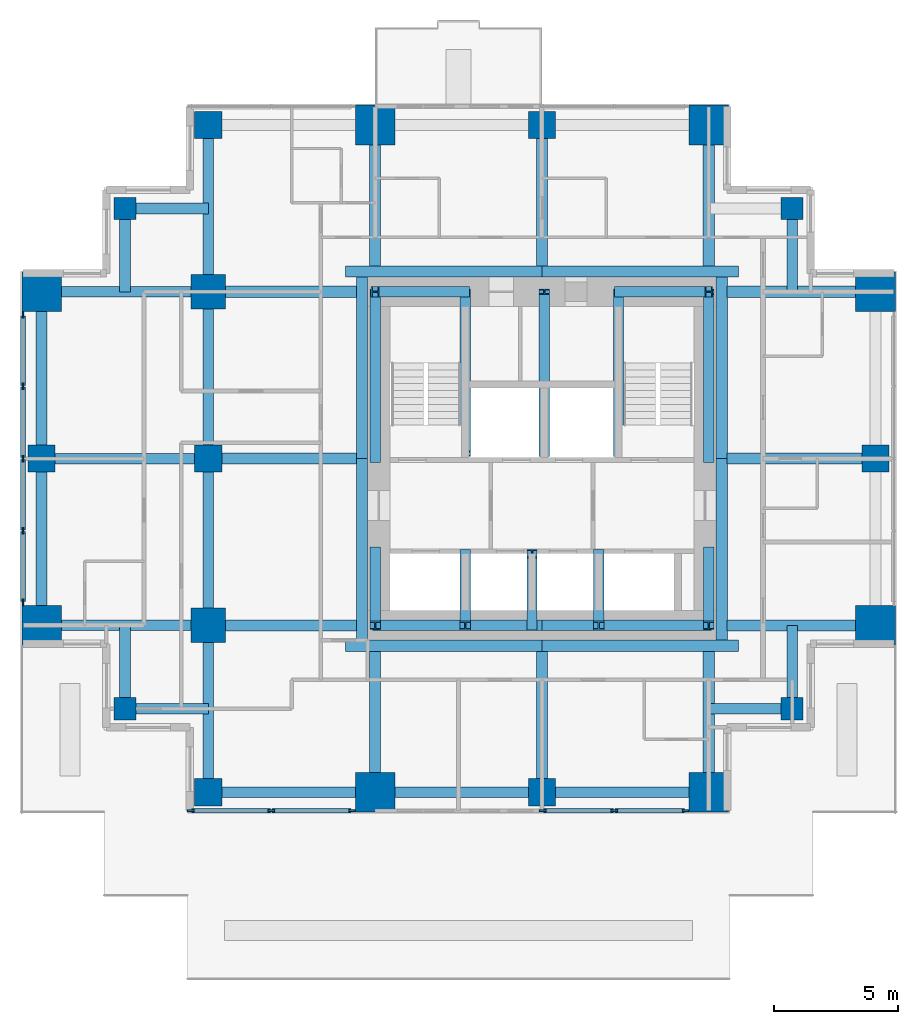
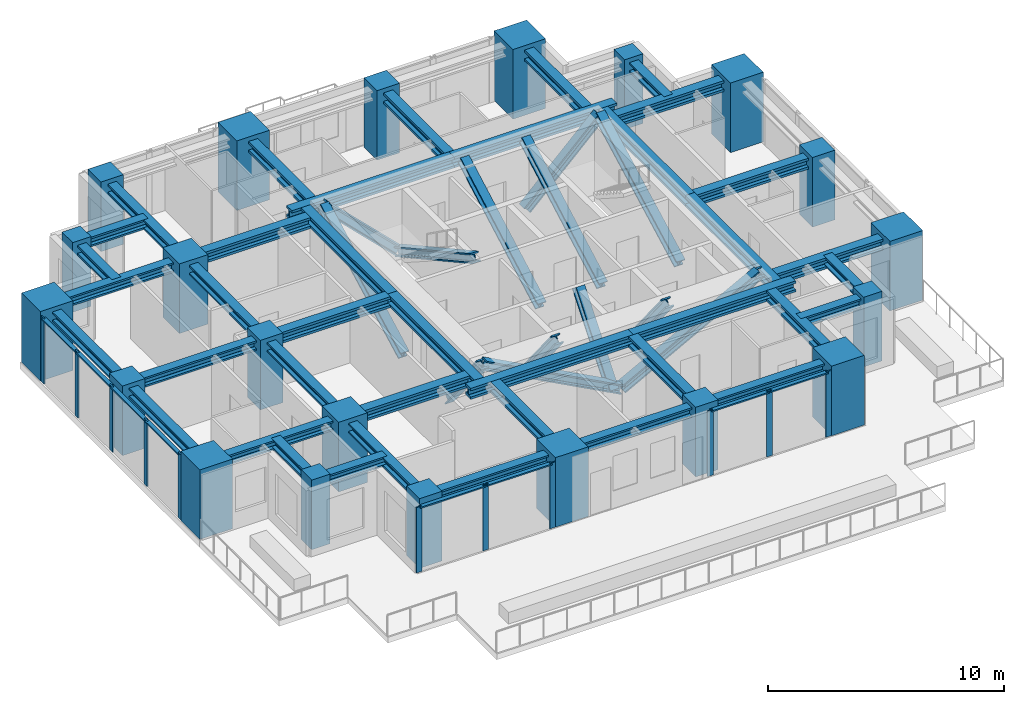
# One storey, part 1 of 7: 39 beams, 33 members, 21 columns, 3 elements without a shape of their own.
"""IFC4 building model written with IfcOpenShell, lengths in metres."""

from ifc_helpers import new_model, si_unit, direction, frame, origin, origin_2d, place, context, subcontext, project, spatial, rectangle, i_section, extrude, material, material_profile, profile_set, type_object, element, aggregate, save


model = new_model("IFC4")

# Units and contexts
model_context = context("Model", 3, precision=1e-05, world=origin(), true_north=direction((0.0, 1.0)))
body_context = subcontext(model_context, "Body", "Model", "MODEL_VIEW")
ifc_project = project(units=[si_unit("LENGTHUNIT", "METRE"), si_unit("AREAUNIT", "SQUARE_METRE"), si_unit("VOLUMEUNIT", "CUBIC_METRE"), si_unit("PLANEANGLEUNIT", "RADIAN"), si_unit("MASSUNIT", "GRAM", prefix="KILO")], contexts=[model_context])

# Site, building, storey
site_placement = place(None, origin())
site = spatial("IfcSite", under=ifc_project, at=site_placement, CompositionType="ELEMENT")
building_placement = place(site_placement, origin())
building = spatial("IfcBuilding", under=site, at=building_placement, Name="Nyansa Garden Tower", CompositionType="ELEMENT")
storey_placement = place(building_placement, frame((0.0, 0.0, 204.300048828125)))
storey = spatial("IfcBuildingStorey", under=building, at=storey_placement, Name="L55", CompositionType="ELEMENT", Elevation=204.300048828125)

# Columns
ifc_material_1 = material(Name="Concrete C70/85", Category="concrete")
ifc_material_profile_1 = material_profile(ifc_material_1, rectangle(XDim=1.10009765625, YDim=1.10009765625, at=origin_2d()), Name="RC 1100x1100")
ifc_profile_set_1 = profile_set([ifc_material_profile_1], Name="Concrete C70/85")
column_type_1 = type_object("IfcColumnType", Name="Column C110 RC 1100x1100", PredefinedType="COLUMN", material=ifc_profile_set_1)
for number, where, z_axis, x_axis, name in (
    (1, (0.0, 20.25, 0.0), (0.0, 0.0, 1.0), (1.0, 0.0, 0.0), "Column 2/G L55"),
    (2, (6.75, 6.75, 0.0), (0.0, 0.0, 1.0), (1.0, 0.0, 0.0), "Column 3/E L55"),
    (3, (6.75, 20.25, 0.0), (0.0, 0.0, 1.0), (1.0, 0.0, 0.0), "Column 3/G L55"),
    (4, (6.75, 33.75, 0.0), (0.0, 0.0, 1.0), (1.0, 0.0, 0.0), "Column 3/J L55"),
    (5, (20.25, 6.75, 0.0), (0.0, 0.0, 1.0), (1.0, 0.0, 0.0), "Column 5/E L55"),
    (6, (20.25, 33.75, 0.0), (0.0, 0.0, 1.0), (1.0, 0.0, 0.0), "Column 5/J L55"),
    (7, (33.75, 20.25, 0.0), (0.0, 0.0, 1.0), (1.0, 0.0, 0.0), "Column 7/G L55"),
):
    element("IfcColumn", number, at=place(storey_placement, frame(where, z_axis=z_axis, x_axis=x_axis)), inside=storey, type_object=column_type_1, Name=name, PredefinedType="COLUMN", context=body_context, shape_type="SweptSolid", body=[
        extrude(rectangle(XDim=1.10009765625, YDim=1.10009765625, at=origin_2d()), origin(), (0.0, 0.0, 1.0), 3.599853515625),
    ])
ifc_material_2 = material(Name="Concrete C80/95", Category="concrete")
ifc_material_profile_2 = material_profile(ifc_material_2, rectangle(XDim=1.39990234375, YDim=1.39990234375, at=origin_2d()), Name="RC 1400x1400")
ifc_profile_set_2 = profile_set([ifc_material_profile_2], Name="Concrete C80/95")
column_type_2 = type_object("IfcColumnType", Name="Column C140 RC 1400x1400", PredefinedType="COLUMN", material=ifc_profile_set_2)
for number, where, z_axis, x_axis, name in (
    (8, (6.75, 13.5, 0.0), (0.0, 0.0, 1.0), (1.0, 0.0, 0.0), "Column 3/F L55"),
    (9, (6.75, 27.0, 0.0), (0.0, 0.0, 1.0), (1.0, 0.0, 0.0), "Column 3/H L55"),
):
    element("IfcColumn", number, at=place(storey_placement, frame(where, z_axis=z_axis, x_axis=x_axis)), inside=storey, type_object=column_type_2, Name=name, PredefinedType="COLUMN", context=body_context, shape_type="SweptSolid", body=[
        extrude(rectangle(XDim=1.39990234375, YDim=1.39990234375, at=origin_2d()), origin(), (0.0, 0.0, 1.0), 3.599853515625),
    ])
ifc_material_3 = material(Name="Concrete C80/95", Category="concrete")
ifc_material_profile_3 = material_profile(ifc_material_3, rectangle(XDim=1.60009765625, YDim=1.60009765625, at=origin_2d()), Name="RC 1600x1600")
ifc_profile_set_3 = profile_set([ifc_material_profile_3], Name="Concrete C80/95")
column_type_3 = type_object("IfcColumnType", Name="Column C160 RC 1600x1600", PredefinedType="COLUMN", material=ifc_profile_set_3)
for number, where, z_axis, x_axis, name in (
    (10, (0.0, 13.5, 0.0), (0.0, 0.0, 1.0), (1.0, 0.0, 0.0), "Column 2/F L55"),
    (11, (0.0, 27.0, 0.0), (0.0, 0.0, 1.0), (1.0, 0.0, 0.0), "Column 2/H L55"),
    (12, (13.5, 6.75, 0.0), (0.0, 0.0, 1.0), (1.0, 0.0, 0.0), "Column 4/E L55"),
    (13, (13.5, 33.75, 0.0), (0.0, 0.0, 1.0), (1.0, 0.0, 0.0), "Column 4/J L55"),
    (14, (27.0, 6.75, 0.0), (0.0, 0.0, 1.0), (1.0, 0.0, 0.0), "Column 6/E L55"),
    (15, (27.0, 33.75, 0.0), (0.0, 0.0, 1.0), (1.0, 0.0, 0.0), "Column 6/J L55"),
    (16, (33.75, 13.5, 0.0), (0.0, 0.0, 1.0), (1.0, 0.0, 0.0), "Column 7/F L55"),
    (17, (33.75, 27.0, 0.0), (0.0, 0.0, 1.0), (1.0, 0.0, 0.0), "Column 7/H L55"),
):
    element("IfcColumn", number, at=place(storey_placement, frame(where, z_axis=z_axis, x_axis=x_axis)), inside=storey, type_object=column_type_3, Name=name, PredefinedType="COLUMN", context=body_context, shape_type="SweptSolid", body=[
        extrude(rectangle(XDim=1.60009765625, YDim=1.60009765625, at=origin_2d()), origin(), (0.0, 0.0, 1.0), 3.599853515625),
    ])
ifc_material_4 = material(Name="Concrete C70/85", Category="concrete")
ifc_material_profile_4 = material_profile(ifc_material_4, rectangle(XDim=0.89990234375, YDim=0.89990234375, at=origin_2d()), Name="RC 900x900")
ifc_profile_set_4 = profile_set([ifc_material_profile_4], Name="Concrete C70/85")
column_type_4 = type_object("IfcColumnType", Name="Column C90 RC 900x900", PredefinedType="COLUMN", material=ifc_profile_set_4)
for number, where, z_axis, x_axis, name in (
    (18, (3.375, 10.125, 0.0), (0.0, 0.0, 1.0), (1.0, 0.0, 0.0), "Column x3.375/y10.125 L55"),
    (19, (3.375, 30.375, 0.0), (0.0, 0.0, 1.0), (1.0, 0.0, 0.0), "Column x3.375/y30.375 L55"),
    (20, (30.375, 10.125, 0.0), (0.0, 0.0, 1.0), (1.0, 0.0, 0.0), "Column x30.375/y10.125 L55"),
    (21, (30.375, 30.375, 0.0), (0.0, 0.0, 1.0), (1.0, 0.0, 0.0), "Column x30.375/y30.375 L55"),
):
    element("IfcColumn", number, at=place(storey_placement, frame(where, z_axis=z_axis, x_axis=x_axis)), inside=storey, type_object=column_type_4, Name=name, PredefinedType="COLUMN", context=body_context, shape_type="SweptSolid", body=[
        extrude(rectangle(XDim=0.89990234375, YDim=0.89990234375, at=origin_2d()), origin(), (0.0, 0.0, 1.0), 3.599853515625),
    ])

# Curtain wall, members
ifc_material_5 = material(Name="Black anodised aluminium, dark tinted double glazing", Category="aluminium")
curtain_wall_type = type_object("IfcCurtainWallType", Name="Inner skin curtain wall ISW-D", PredefinedType="USERDEFINED", material=ifc_material_5)
curtain_wall_1_placement = place(storey_placement, origin())
curtain_wall_1 = element("IfcCurtainWall", 22, at=curtain_wall_1_placement, inside=storey, type_object=curtain_wall_type, Name="Inner skin curtain wall L55 W", ObjectType="UNITISED CURTAIN WALL", PredefinedType="USERDEFINED")
ifc_material_6 = material(Name="Black anodised aluminium", Category="aluminium")
ifc_material_profile_5 = material_profile(ifc_material_6, rectangle(XDim=0.070068359375, YDim=0.27490234375, at=origin_2d()), Name="Mullion 275x70")
ifc_profile_set_5 = profile_set([ifc_material_profile_5], Name="Black anodised aluminium")
member_type_1 = type_object("IfcMemberType", Name="Mullion ISW-D 275x70", PredefinedType="MULLION", material=ifc_profile_set_5)
member_1_placement = place(storey_placement, frame((-0.75, 26.0625, 0.0), z_axis=(0.0, 0.0, 1.0), x_axis=(1.0, 0.0, 0.0)))
member_1 = element("IfcMember", 23, at=member_1_placement, type_object=member_type_1, Name="ISW-D mullion 1", PredefinedType="MULLION", context=body_context, shape_type="SweptSolid", body=[
    extrude(rectangle(XDim=0.070068359375, YDim=0.27490234375, at=origin_2d()), origin(), (0.0, 0.0, 1.0), 3.375),
])
member_2_placement = place(storey_placement, frame((-0.75, 23.173828125, 0.0), z_axis=(0.0, 0.0, 1.0), x_axis=(1.0, 0.0, 0.0)))
member_2 = element("IfcMember", 24, at=member_2_placement, type_object=member_type_1, Name="ISW-D mullion 2", PredefinedType="MULLION", context=body_context, shape_type="SweptSolid", body=[
    extrude(rectangle(XDim=0.070068359375, YDim=0.27490234375, at=origin_2d()), origin(), (0.0, 0.0, 1.0), 3.375),
])
member_3_placement = place(storey_placement, frame((-0.75, 20.25, 0.0), z_axis=(0.0, 0.0, 1.0), x_axis=(1.0, 0.0, 0.0)))
member_3 = element("IfcMember", 25, at=member_3_placement, type_object=member_type_1, Name="ISW-D mullion 3", PredefinedType="MULLION", context=body_context, shape_type="SweptSolid", body=[
    extrude(rectangle(XDim=0.070068359375, YDim=0.27490234375, at=origin_2d()), origin(), (0.0, 0.0, 1.0), 3.375),
])
member_4_placement = place(storey_placement, frame((-0.75, 17.326171875, 0.0), z_axis=(0.0, 0.0, 1.0), x_axis=(1.0, 0.0, 0.0)))
member_4 = element("IfcMember", 26, at=member_4_placement, type_object=member_type_1, Name="ISW-D mullion 4", PredefinedType="MULLION", context=body_context, shape_type="SweptSolid", body=[
    extrude(rectangle(XDim=0.070068359375, YDim=0.27490234375, at=origin_2d()), origin(), (0.0, 0.0, 1.0), 3.375),
])
member_5_placement = place(storey_placement, frame((-0.75, 14.4375, 0.0), z_axis=(0.0, 0.0, 1.0), x_axis=(1.0, 0.0, 0.0)))
member_5 = element("IfcMember", 27, at=member_5_placement, type_object=member_type_1, Name="ISW-D mullion 5", PredefinedType="MULLION", context=body_context, shape_type="SweptSolid", body=[
    extrude(rectangle(XDim=0.070068359375, YDim=0.27490234375, at=origin_2d()), origin(), (0.0, 0.0, 1.0), 3.375),
])

curtain_wall_2_placement = place(storey_placement, origin())
curtain_wall_2 = element("IfcCurtainWall", 28, at=curtain_wall_2_placement, inside=storey, type_object=curtain_wall_type, Name="Inner skin curtain wall L55 S", ObjectType="UNITISED CURTAIN WALL", PredefinedType="USERDEFINED")
member_6_placement = place(storey_placement, frame((6.034912109375, 6.0, 0.0), z_axis=(0.0, 0.0, 1.0), x_axis=(0.0, 1.0, 0.0)))
member_6 = element("IfcMember", 29, at=member_6_placement, type_object=member_type_1, Name="ISW-D mullion 1", PredefinedType="MULLION", context=body_context, shape_type="SweptSolid", body=[
    extrude(rectangle(XDim=0.070068359375, YDim=0.27490234375, at=origin_2d()), origin(), (0.0, 0.0, 1.0), 3.375),
])
member_7_placement = place(storey_placement, frame((9.298828125, 6.0, 0.0), z_axis=(0.0, 0.0, 1.0), x_axis=(0.0, 1.0, 0.0)))
member_7 = element("IfcMember", 30, at=member_7_placement, type_object=member_type_1, Name="ISW-D mullion 2", PredefinedType="MULLION", context=body_context, shape_type="SweptSolid", body=[
    extrude(rectangle(XDim=0.070068359375, YDim=0.27490234375, at=origin_2d()), origin(), (0.0, 0.0, 1.0), 3.375),
])
member_8_placement = place(storey_placement, frame((12.5625, 6.0, 0.0), z_axis=(0.0, 0.0, 1.0), x_axis=(0.0, 1.0, 0.0)))
member_8 = element("IfcMember", 31, at=member_8_placement, type_object=member_type_1, Name="ISW-D mullion 3", PredefinedType="MULLION", context=body_context, shape_type="SweptSolid", body=[
    extrude(rectangle(XDim=0.070068359375, YDim=0.27490234375, at=origin_2d()), origin(), (0.0, 0.0, 1.0), 3.375),
])

curtain_wall_3_placement = place(storey_placement, origin())
curtain_wall_3 = element("IfcCurtainWall", 32, at=curtain_wall_3_placement, inside=storey, type_object=curtain_wall_type, Name="Inner skin curtain wall L55 S", ObjectType="UNITISED CURTAIN WALL", PredefinedType="USERDEFINED")
member_9_placement = place(storey_placement, frame((20.284912109375, 6.0, 0.0), z_axis=(0.0, 0.0, 1.0), x_axis=(0.0, 1.0, 0.0)))
member_9 = element("IfcMember", 33, at=member_9_placement, type_object=member_type_1, Name="ISW-D mullion 1", PredefinedType="MULLION", context=body_context, shape_type="SweptSolid", body=[
    extrude(rectangle(XDim=0.070068359375, YDim=0.27490234375, at=origin_2d()), origin(), (0.0, 0.0, 1.0), 3.375),
])
member_10_placement = place(storey_placement, frame((23.173828125, 6.0, 0.0), z_axis=(0.0, 0.0, 1.0), x_axis=(0.0, 1.0, 0.0)))
member_10 = element("IfcMember", 34, at=member_10_placement, type_object=member_type_1, Name="ISW-D mullion 2", PredefinedType="MULLION", context=body_context, shape_type="SweptSolid", body=[
    extrude(rectangle(XDim=0.070068359375, YDim=0.27490234375, at=origin_2d()), origin(), (0.0, 0.0, 1.0), 3.375),
])
member_11_placement = place(storey_placement, frame((26.0625, 6.0, 0.0), z_axis=(0.0, 0.0, 1.0), x_axis=(0.0, 1.0, 0.0)))
member_11 = element("IfcMember", 35, at=member_11_placement, type_object=member_type_1, Name="ISW-D mullion 3", PredefinedType="MULLION", context=body_context, shape_type="SweptSolid", body=[
    extrude(rectangle(XDim=0.070068359375, YDim=0.27490234375, at=origin_2d()), origin(), (0.0, 0.0, 1.0), 3.375),
])

# Members
ifc_material_7 = material(Name="Steel S355", Category="steel")
ifc_material_profile_6 = material_profile(ifc_material_7, i_section(OverallWidth=0.41796875, OverallDepth=0.455078125, WebThickness=0.0419921875, FlangeThickness=0.067626953125, FilletRadius=0.014892578125, at=origin_2d()), Name="HD 400x463")
ifc_profile_set_6 = profile_set([ifc_material_profile_6], Name="Steel S355")
member_type_2 = type_object("IfcMemberType", Name="Perimeter brace heavy HD 400x463", PredefinedType="BRACE", material=ifc_profile_set_6)
for number, where, z_axis, x_axis, name in (
    (36, (20.25, 13.5, 0.0), (-0.882360891967, 0.0, 0.470573327259), (0.0, -1.0, 0.0), "Core brace CS1 L55"),
    (37, (20.25, 13.5, 0.0), (0.882360891967, 0.0, 0.470573327259), (0.0, 1.0, 0.0), "Core brace CS2 L55"),
):
    element("IfcMember", number, at=place(storey_placement, frame(where, z_axis=z_axis, x_axis=x_axis)), inside=storey, type_object=member_type_2, Name=name, PredefinedType="BRACE", context=body_context, shape_type="SweptSolid", body=[
        extrude(i_section(OverallWidth=0.41796875, OverallDepth=0.455078125, WebThickness=0.0419921875, FlangeThickness=0.067626953125, FilletRadius=0.014892578125, at=origin_2d()), origin(), (0.0, 0.0, 1.0), 7.64990234375),
    ])
for number, where, z_axis, x_axis, name in (
    (38, (17.14990234375, 27.0, 0.0), (-0.711971340796, 0.0, 0.702208523079), (0.0, -1.0, 0.0), "Core brace CN3 L55"),
    (39, (23.35009765625, 27.0, 0.0), (0.711971340796, 0.0, 0.702208523079), (0.0, 1.0, 0.0), "Core brace CN4 L55"),
):
    element("IfcMember", number, at=place(storey_placement, frame(where, z_axis=z_axis, x_axis=x_axis)), inside=storey, type_object=member_type_2, Name=name, PredefinedType="BRACE", context=body_context, shape_type="SweptSolid", body=[
        extrude(i_section(OverallWidth=0.41796875, OverallDepth=0.455078125, WebThickness=0.0419921875, FlangeThickness=0.067626953125, FilletRadius=0.014892578125, at=origin_2d()), origin(), (0.0, 0.0, 1.0), 5.12646484375),
    ])
member_12_placement = place(storey_placement, frame((13.5, 16.5, 0.0), z_axis=(0.0, -0.640199773186, 0.768208468069), x_axis=(1.0, 0.0, 0.0)))
element("IfcMember", 40, at=member_12_placement, inside=storey, type_object=member_type_2, Name="Core brace CW5 L55", PredefinedType="BRACE", context=body_context, shape_type="SweptSolid", body=[
    extrude(i_section(OverallWidth=0.41796875, OverallDepth=0.455078125, WebThickness=0.0419921875, FlangeThickness=0.067626953125, FilletRadius=0.014892578125, at=origin_2d()), origin(), (0.0, 0.0, 1.0), 4.68603515625),
])
member_13_placement = place(storey_placement, frame((13.5, 20.199951171875, 0.0), z_axis=(0.0, 0.883797178129, 0.467870225524), x_axis=(-1.0, 0.0, 0.0)))
element("IfcMember", 41, at=member_13_placement, inside=storey, type_object=member_type_2, Name="Core brace CW6 L55", PredefinedType="BRACE", context=body_context, shape_type="SweptSolid", body=[
    extrude(i_section(OverallWidth=0.41796875, OverallDepth=0.455078125, WebThickness=0.0419921875, FlangeThickness=0.067626953125, FilletRadius=0.014892578125, at=origin_2d()), origin(), (0.0, 0.0, 1.0), 7.694091796875),
])
member_14_placement = place(storey_placement, frame((27.0, 16.5, 0.0), z_axis=(0.0, -0.640199773186, 0.768208468069), x_axis=(1.0, 0.0, 0.0)))
element("IfcMember", 42, at=member_14_placement, inside=storey, type_object=member_type_2, Name="Core brace CE7 L55", PredefinedType="BRACE", context=body_context, shape_type="SweptSolid", body=[
    extrude(i_section(OverallWidth=0.41796875, OverallDepth=0.455078125, WebThickness=0.0419921875, FlangeThickness=0.067626953125, FilletRadius=0.014892578125, at=origin_2d()), origin(), (0.0, 0.0, 1.0), 4.68603515625),
])
member_15_placement = place(storey_placement, frame((27.0, 20.199951171875, 0.0), z_axis=(0.0, 0.883797178129, 0.467870225524), x_axis=(-1.0, 0.0, 0.0)))
element("IfcMember", 43, at=member_15_placement, inside=storey, type_object=member_type_2, Name="Core brace CE8 L55", PredefinedType="BRACE", context=body_context, shape_type="SweptSolid", body=[
    extrude(i_section(OverallWidth=0.41796875, OverallDepth=0.455078125, WebThickness=0.0419921875, FlangeThickness=0.067626953125, FilletRadius=0.014892578125, at=origin_2d()), origin(), (0.0, 0.0, 1.0), 7.694091796875),
])
for number, where, z_axis, x_axis, name in (
    (44, (17.14990234375, 27.0, 0.0), (0.0, -0.876366901673, 0.481644115143), (1.0, 0.0, 0.0), "Core brace CWS9 L55"),
    (45, (23.35009765625, 20.449951171875, 0.0), (0.0, 0.876366901673, 0.481644115143), (-1.0, 0.0, 0.0), "Core brace CES10 L55"),
):
    element("IfcMember", number, at=place(storey_placement, frame(where, z_axis=z_axis, x_axis=x_axis)), inside=storey, type_object=member_type_2, Name=name, PredefinedType="BRACE", context=body_context, shape_type="SweptSolid", body=[
        extrude(i_section(OverallWidth=0.41796875, OverallDepth=0.455078125, WebThickness=0.0419921875, FlangeThickness=0.067626953125, FilletRadius=0.014892578125, at=origin_2d()), origin(), (0.0, 0.0, 1.0), 7.47412109375),
    ])
for number, where, z_axis, x_axis, name in (
    (46, (17.14990234375, 16.39990234375, 0.0), (0.0, -0.627332207022, 0.778751758928), (1.0, 0.0, 0.0), "Core brace CSW11 L55"),
    (47, (19.85009765625, 13.5, 0.0), (0.0, 0.627332207022, 0.778751758928), (-1.0, 0.0, 0.0), "Core brace CSW12 L55"),
    (48, (22.550048828125, 16.39990234375, 0.0), (0.0, -0.627332207022, 0.778751758928), (1.0, 0.0, 0.0), "Core brace CSW13 L55"),
):
    element("IfcMember", number, at=place(storey_placement, frame(where, z_axis=z_axis, x_axis=x_axis)), inside=storey, type_object=member_type_2, Name=name, PredefinedType="BRACE", context=body_context, shape_type="SweptSolid", body=[
        extrude(i_section(OverallWidth=0.41796875, OverallDepth=0.455078125, WebThickness=0.0419921875, FlangeThickness=0.067626953125, FilletRadius=0.014892578125, at=origin_2d()), origin(), (0.0, 0.0, 1.0), 4.62255859375),
    ])
member_16_placement = place(storey_placement, frame((20.35009765625, 20.449951171875, 0.0), z_axis=(0.0, 0.876366901673, 0.481644115143), x_axis=(-1.0, 0.0, 0.0)))
element("IfcMember", 49, at=member_16_placement, inside=storey, type_object=member_type_2, Name="Core brace CNW14 L55", PredefinedType="BRACE", context=body_context, shape_type="SweptSolid", body=[
    extrude(i_section(OverallWidth=0.41796875, OverallDepth=0.455078125, WebThickness=0.0419921875, FlangeThickness=0.067626953125, FilletRadius=0.014892578125, at=origin_2d()), origin(), (0.0, 0.0, 1.0), 7.47412109375),
])

# Beams
ifc_material_8 = material(Name="Steel S355", Category="steel")
ifc_material_profile_7 = material_profile(ifc_material_8, i_section(OverallWidth=0.431884765625, OverallDepth=0.498046875, WebThickness=0.0556640625, FlangeThickness=0.0888671875, FilletRadius=0.014892578125, at=origin_2d()), Name="HD 400x744")
ifc_profile_set_7 = profile_set([ifc_material_profile_7], Name="Steel S355")
beam_type_1 = type_object("IfcBeamType", Name="Steel beam SBD2-744 HD 400x744", PredefinedType="BEAM", material=ifc_profile_set_7)
for number, where, z_axis, x_axis, name in (
    (50, (0.0, 13.5, 3.1259765625), (1.0, 0.0, 0.0), (0.0, 1.0, 0.0), "Steel beam 2/F-3/F L56"),
    (51, (0.0, 20.25, 3.1259765625), (1.0, 0.0, 0.0), (0.0, 1.0, 0.0), "Steel beam 2/G-3/G L56"),
    (52, (0.0, 27.0, 3.1259765625), (1.0, 0.0, 0.0), (0.0, 1.0, 0.0), "Steel beam 2/H-3/H L56"),
    (53, (6.75, 6.75, 3.1259765625), (0.0, 1.0, 0.0), (-1.0, 0.0, 0.0), "Steel beam 3/E-3/F L56"),
    (54, (6.75, 13.5, 3.1259765625), (0.0, 1.0, 0.0), (-1.0, 0.0, 0.0), "Steel beam 3/F-3/G L56"),
    (55, (6.75, 20.25, 3.1259765625), (0.0, 1.0, 0.0), (-1.0, 0.0, 0.0), "Steel beam 3/G-3/H L56"),
    (56, (6.75, 27.0, 3.1259765625), (0.0, 1.0, 0.0), (-1.0, 0.0, 0.0), "Steel beam 3/H-3/J L56"),
):
    element("IfcBeam", number, at=place(storey_placement, frame(where, z_axis=z_axis, x_axis=x_axis)), inside=storey, type_object=beam_type_1, Name=name, PredefinedType="BEAM", context=body_context, shape_type="SweptSolid", body=[
        extrude(i_section(OverallWidth=0.431884765625, OverallDepth=0.498046875, WebThickness=0.0556640625, FlangeThickness=0.0888671875, FilletRadius=0.014892578125, at=origin_2d()), origin(), (0.0, 0.0, 1.0), 6.75),
    ])
ifc_material_9 = material(Name="Steel S355", Category="steel")
ifc_material_profile_8 = material_profile(ifc_material_9, i_section(OverallWidth=0.4541015625, OverallDepth=0.569091796875, WebThickness=0.077880859375, FlangeThickness=0.125, FilletRadius=0.014892578125, at=origin_2d()), Name="HD 400x1086")
ifc_profile_set_8 = profile_set([ifc_material_profile_8], Name="Steel S355")
beam_type_2 = type_object("IfcBeamType", Name="Steel beam SCL-1086 HD 400x1086", PredefinedType="BEAM", material=ifc_profile_set_8)
for number, where, z_axis, x_axis, name in (
    (57, (6.75, 13.5, 3.09033203125), (1.0, 0.0, 0.0), (0.0, 1.0, 0.0), "Steel beam 3/F-12.750/F L56"),
    (58, (6.75, 20.25, 3.09033203125), (1.0, 0.0, 0.0), (0.0, 1.0, 0.0), "Steel beam 3/G-12.750/G L56"),
    (59, (6.75, 27.0, 3.09033203125), (1.0, 0.0, 0.0), (0.0, 1.0, 0.0), "Steel beam 3/H-12.750/H L56"),
):
    element("IfcBeam", number, at=place(storey_placement, frame(where, z_axis=z_axis, x_axis=x_axis)), inside=storey, type_object=beam_type_2, Name=name, PredefinedType="BEAM", context=body_context, shape_type="SweptSolid", body=[
        extrude(i_section(OverallWidth=0.4541015625, OverallDepth=0.569091796875, WebThickness=0.077880859375, FlangeThickness=0.125, FilletRadius=0.014892578125, at=origin_2d()), origin(), (0.0, 0.0, 1.0), 6.0),
    ])
for number, where, z_axis, x_axis, name in (
    (60, (13.5, 6.75, 3.09033203125), (0.0, 1.0, 0.0), (-1.0, 0.0, 0.0), "Steel beam 4/E-4/12.450 L56"),
    (61, (13.5, 28.050048828125, 3.09033203125), (0.0, 1.0, 0.0), (-1.0, 0.0, 0.0), "Steel beam 4/28.050-4/J L56"),
    (62, (20.25, 6.75, 3.09033203125), (0.0, 1.0, 0.0), (-1.0, 0.0, 0.0), "Steel beam 5/E-5/12.450 L56"),
    (63, (20.25, 28.050048828125, 3.09033203125), (0.0, 1.0, 0.0), (-1.0, 0.0, 0.0), "Steel beam 5/28.050-5/J L56"),
    (64, (27.0, 6.75, 3.09033203125), (0.0, 1.0, 0.0), (-1.0, 0.0, 0.0), "Steel beam 6/E-6/12.450 L56"),
):
    element("IfcBeam", number, at=place(storey_placement, frame(where, z_axis=z_axis, x_axis=x_axis)), inside=storey, type_object=beam_type_2, Name=name, PredefinedType="BEAM", context=body_context, shape_type="SweptSolid", body=[
        extrude(i_section(OverallWidth=0.4541015625, OverallDepth=0.569091796875, WebThickness=0.077880859375, FlangeThickness=0.125, FilletRadius=0.014892578125, at=origin_2d()), origin(), (0.0, 0.0, 1.0), 5.699951171875),
    ])
for number, where, z_axis, x_axis, name in (
    (65, (27.75, 13.5, 3.09033203125), (1.0, 0.0, 0.0), (0.0, 1.0, 0.0), "Steel beam 27.750/F-7/F L56"),
    (66, (27.75, 20.25, 3.09033203125), (1.0, 0.0, 0.0), (0.0, 1.0, 0.0), "Steel beam 27.750/G-7/G L56"),
):
    element("IfcBeam", number, at=place(storey_placement, frame(where, z_axis=z_axis, x_axis=x_axis)), inside=storey, type_object=beam_type_2, Name=name, PredefinedType="BEAM", context=body_context, shape_type="SweptSolid", body=[
        extrude(i_section(OverallWidth=0.4541015625, OverallDepth=0.569091796875, WebThickness=0.077880859375, FlangeThickness=0.125, FilletRadius=0.014892578125, at=origin_2d()), origin(), (0.0, 0.0, 1.0), 6.0),
    ])
beam_1_placement = place(storey_placement, frame((27.0, 28.050048828125, 3.09033203125), z_axis=(0.0, 1.0, 0.0), x_axis=(-1.0, 0.0, 0.0)))
element("IfcBeam", 67, at=beam_1_placement, inside=storey, type_object=beam_type_2, Name="Steel beam 6/28.050-6/J L56", PredefinedType="BEAM", context=body_context, shape_type="SweptSolid", body=[
    extrude(i_section(OverallWidth=0.4541015625, OverallDepth=0.569091796875, WebThickness=0.077880859375, FlangeThickness=0.125, FilletRadius=0.014892578125, at=origin_2d()), origin(), (0.0, 0.0, 1.0), 5.699951171875),
])
beam_2_placement = place(storey_placement, frame((27.75, 27.0, 3.09033203125), z_axis=(1.0, 0.0, 0.0), x_axis=(0.0, 1.0, 0.0)))
element("IfcBeam", 68, at=beam_2_placement, inside=storey, type_object=beam_type_2, Name="Steel beam 27.750/H-7/H L56", PredefinedType="BEAM", context=body_context, shape_type="SweptSolid", body=[
    extrude(i_section(OverallWidth=0.4541015625, OverallDepth=0.569091796875, WebThickness=0.077880859375, FlangeThickness=0.125, FilletRadius=0.014892578125, at=origin_2d()), origin(), (0.0, 0.0, 1.0), 6.0),
])
for number, where, z_axis, x_axis, name in (
    (69, (12.300048828125, 12.673095703125, 3.09033203125), (1.0, 0.0, 0.0), (0.0, 1.0, 0.0), "Steel core ledger beam S.1 L56"),
    (70, (20.25, 12.673095703125, 3.09033203125), (1.0, 0.0, 0.0), (0.0, 1.0, 0.0), "Steel core ledger beam S.2 L56"),
):
    element("IfcBeam", number, at=place(storey_placement, frame(where, z_axis=z_axis, x_axis=x_axis)), inside=storey, type_object=beam_type_2, Name=name, PredefinedType="BEAM", context=body_context, shape_type="SweptSolid", body=[
        extrude(i_section(OverallWidth=0.4541015625, OverallDepth=0.569091796875, WebThickness=0.077880859375, FlangeThickness=0.125, FilletRadius=0.014892578125, at=origin_2d()), origin(), (0.0, 0.0, 1.0), 7.949951171875),
    ])
for number, where, z_axis, x_axis, name in (
    (71, (27.527099609375, 12.89990234375, 3.09033203125), (0.0, 1.0, 0.0), (-1.0, 0.0, 0.0), "Steel core ledger beam E.1 L56"),
    (72, (27.527099609375, 20.25, 3.09033203125), (0.0, 1.0, 0.0), (-1.0, 0.0, 0.0), "Steel core ledger beam E.2 L56"),
):
    element("IfcBeam", number, at=place(storey_placement, frame(where, z_axis=z_axis, x_axis=x_axis)), inside=storey, type_object=beam_type_2, Name=name, PredefinedType="BEAM", context=body_context, shape_type="SweptSolid", body=[
        extrude(i_section(OverallWidth=0.4541015625, OverallDepth=0.569091796875, WebThickness=0.077880859375, FlangeThickness=0.125, FilletRadius=0.014892578125, at=origin_2d()), origin(), (0.0, 0.0, 1.0), 7.35009765625),
    ])
for number, where, z_axis, x_axis, name in (
    (73, (28.199951171875, 27.826904296875, 3.09033203125), (-1.0, 0.0, 0.0), (0.0, -1.0, 0.0), "Steel core ledger beam N.1 L56"),
    (74, (20.25, 27.826904296875, 3.09033203125), (-1.0, 0.0, 0.0), (0.0, -1.0, 0.0), "Steel core ledger beam N.2 L56"),
):
    element("IfcBeam", number, at=place(storey_placement, frame(where, z_axis=z_axis, x_axis=x_axis)), inside=storey, type_object=beam_type_2, Name=name, PredefinedType="BEAM", context=body_context, shape_type="SweptSolid", body=[
        extrude(i_section(OverallWidth=0.4541015625, OverallDepth=0.569091796875, WebThickness=0.077880859375, FlangeThickness=0.125, FilletRadius=0.014892578125, at=origin_2d()), origin(), (0.0, 0.0, 1.0), 7.949951171875),
    ])
for number, where, z_axis, x_axis, name in (
    (75, (12.972900390625, 27.60009765625, 3.09033203125), (0.0, -1.0, 0.0), (1.0, 0.0, 0.0), "Steel core ledger beam W.1 L56"),
    (76, (12.972900390625, 20.25, 3.09033203125), (0.0, -1.0, 0.0), (1.0, 0.0, 0.0), "Steel core ledger beam W.2 L56"),
):
    element("IfcBeam", number, at=place(storey_placement, frame(where, z_axis=z_axis, x_axis=x_axis)), inside=storey, type_object=beam_type_2, Name=name, PredefinedType="BEAM", context=body_context, shape_type="SweptSolid", body=[
        extrude(i_section(OverallWidth=0.4541015625, OverallDepth=0.569091796875, WebThickness=0.077880859375, FlangeThickness=0.125, FilletRadius=0.014892578125, at=origin_2d()), origin(), (0.0, 0.0, 1.0), 7.35009765625),
    ])
ifc_material_10 = material(Name="Steel S355", Category="steel")
ifc_material_profile_9 = material_profile(ifc_material_10, i_section(OverallWidth=0.431884765625, OverallDepth=0.498046875, WebThickness=0.0556640625, FlangeThickness=0.0888671875, FilletRadius=0.014892578125, at=origin_2d()), Name="HD 400x744")
ifc_profile_set_9 = profile_set([ifc_material_profile_9], Name="Steel S355")
beam_type_3 = type_object("IfcBeamType", Name="Steel beam SEBD-744 HD 400x744", PredefinedType="BEAM", material=ifc_profile_set_9)
for number, where, z_axis, x_axis, name in (
    (77, (0.0, 13.5, 3.1259765625), (0.0, 1.0, 0.0), (-1.0, 0.0, 0.0), "Steel edge beam 2/F-2/G L56"),
    (78, (0.0, 20.25, 3.1259765625), (0.0, 1.0, 0.0), (-1.0, 0.0, 0.0), "Steel edge beam 2/G-2/H L56"),
    (79, (6.75, 6.75, 3.1259765625), (1.0, 0.0, 0.0), (0.0, 1.0, 0.0), "Steel edge beam 3/E-4/E L56"),
    (80, (13.5, 6.75, 3.1259765625), (1.0, 0.0, 0.0), (0.0, 1.0, 0.0), "Steel edge beam 4/E-5/E L56"),
    (81, (20.25, 6.75, 3.1259765625), (1.0, 0.0, 0.0), (0.0, 1.0, 0.0), "Steel edge beam 5/E-6/E L56"),
):
    element("IfcBeam", number, at=place(storey_placement, frame(where, z_axis=z_axis, x_axis=x_axis)), inside=storey, type_object=beam_type_3, Name=name, PredefinedType="BEAM", context=body_context, shape_type="SweptSolid", body=[
        extrude(i_section(OverallWidth=0.431884765625, OverallDepth=0.498046875, WebThickness=0.0556640625, FlangeThickness=0.0888671875, FilletRadius=0.014892578125, at=origin_2d()), origin(), (0.0, 0.0, 1.0), 6.75),
    ])
ifc_material_11 = material(Name="Steel S355", Category="steel")
ifc_material_profile_10 = material_profile(ifc_material_11, i_section(OverallWidth=0.431884765625, OverallDepth=0.498046875, WebThickness=0.0556640625, FlangeThickness=0.0888671875, FilletRadius=0.014892578125, at=origin_2d()), Name="HD 400x744")
ifc_profile_set_10 = profile_set([ifc_material_profile_10], Name="Steel S355")
beam_type_4 = type_object("IfcBeamType", Name="Steel beam SSB1-744 HD 400x744", PredefinedType="BEAM", material=ifc_profile_set_10)
for number, where, z_axis, x_axis, name in (
    (82, (3.375, 10.125, 3.1259765625), (0.0, 1.0, 0.0), (-1.0, 0.0, 0.0), "Steel step beam 3.375/10.125 L56"),
    (83, (3.375, 10.125, 3.1259765625), (1.0, 0.0, 0.0), (0.0, 1.0, 0.0), "Steel step beam 3.375/10.125 L56"),
    (84, (30.375, 10.125, 3.1259765625), (0.0, 1.0, 0.0), (-1.0, 0.0, 0.0), "Steel step beam 30.375/10.125 L56"),
    (85, (30.375, 10.125, 3.1259765625), (-1.0, 0.0, 0.0), (0.0, -1.0, 0.0), "Steel step beam 30.375/10.125 L56"),
    (86, (30.375, 30.375, 3.1259765625), (0.0, -1.0, 0.0), (1.0, 0.0, 0.0), "Steel step beam 30.375/30.375 L56"),
    (87, (3.375, 30.375, 3.1259765625), (0.0, -1.0, 0.0), (1.0, 0.0, 0.0), "Steel step beam 3.375/30.375 L56"),
    (88, (3.375, 30.375, 3.1259765625), (1.0, 0.0, 0.0), (0.0, 1.0, 0.0), "Steel step beam 3.375/30.375 L56"),
):
    element("IfcBeam", number, at=place(storey_placement, frame(where, z_axis=z_axis, x_axis=x_axis)), inside=storey, type_object=beam_type_4, Name=name, PredefinedType="BEAM", context=body_context, shape_type="SweptSolid", body=[
        extrude(i_section(OverallWidth=0.431884765625, OverallDepth=0.498046875, WebThickness=0.0556640625, FlangeThickness=0.0888671875, FilletRadius=0.014892578125, at=origin_2d()), origin(), (0.0, 0.0, 1.0), 3.375),
    ])

# Member
ifc_material_12 = material(Name="Black anodised aluminium", Category="aluminium")
ifc_material_profile_11 = material_profile(ifc_material_12, rectangle(XDim=0.195068359375, YDim=0.070068359375, at=origin_2d()), Name="Transom 195x70")
ifc_profile_set_11 = profile_set([ifc_material_profile_11], Name="Black anodised aluminium")
member_type_3 = type_object("IfcMemberType", Name="Transom ISW-D 195x70", PredefinedType="USERDEFINED", material=ifc_profile_set_11)
member_17_placement = place(storey_placement, frame((-0.75, 26.027587890625, 3.33984375), z_axis=(0.0, -1.0, 0.0), x_axis=(1.0, 0.0, 0.0)))
member_17 = element("IfcMember", 89, at=member_17_placement, type_object=member_type_3, Name="ISW-D transom 1", ObjectType="TRANSOM", PredefinedType="USERDEFINED", context=body_context, shape_type="SweptSolid", body=[
    extrude(rectangle(XDim=0.195068359375, YDim=0.070068359375, at=origin_2d()), origin(), (0.0, 0.0, 1.0), 2.81884765625),
])

member_18_placement = place(storey_placement, frame((-0.75, 23.138671875, 3.33984375), z_axis=(0.0, -1.0, 0.0), x_axis=(1.0, 0.0, 0.0)))
member_18 = element("IfcMember", 90, at=member_18_placement, type_object=member_type_3, Name="ISW-D transom 2", ObjectType="TRANSOM", PredefinedType="USERDEFINED", context=body_context, shape_type="SweptSolid", body=[
    extrude(rectangle(XDim=0.195068359375, YDim=0.070068359375, at=origin_2d()), origin(), (0.0, 0.0, 1.0), 2.853759765625),
])

member_19_placement = place(storey_placement, frame((-0.75, 20.215087890625, 3.33984375), z_axis=(0.0, -1.0, 0.0), x_axis=(1.0, 0.0, 0.0)))
member_19 = element("IfcMember", 91, at=member_19_placement, type_object=member_type_3, Name="ISW-D transom 3", ObjectType="TRANSOM", PredefinedType="USERDEFINED", context=body_context, shape_type="SweptSolid", body=[
    extrude(rectangle(XDim=0.195068359375, YDim=0.070068359375, at=origin_2d()), origin(), (0.0, 0.0, 1.0), 2.853759765625),
])

member_20_placement = place(storey_placement, frame((-0.75, 17.291259765625, 3.33984375), z_axis=(0.0, -1.0, 0.0), x_axis=(1.0, 0.0, 0.0)))
member_20 = element("IfcMember", 92, at=member_20_placement, type_object=member_type_3, Name="ISW-D transom 4", ObjectType="TRANSOM", PredefinedType="USERDEFINED", context=body_context, shape_type="SweptSolid", body=[
    extrude(rectangle(XDim=0.195068359375, YDim=0.070068359375, at=origin_2d()), origin(), (0.0, 0.0, 1.0), 2.81884765625),
])

aggregate(curtain_wall_1, [member_1, member_2, member_3, member_4, member_5, member_17, member_18, member_19, member_20])

member_21_placement = place(storey_placement, frame((6.070068359375, 6.0, 3.33984375), z_axis=(1.0, 0.0, 0.0), x_axis=(0.0, 1.0, 0.0)))
member_21 = element("IfcMember", 93, at=member_21_placement, type_object=member_type_3, Name="ISW-D transom 1", ObjectType="TRANSOM", PredefinedType="USERDEFINED", context=body_context, shape_type="SweptSolid", body=[
    extrude(rectangle(XDim=0.195068359375, YDim=0.070068359375, at=origin_2d()), origin(), (0.0, 0.0, 1.0), 3.193603515625),
])

member_22_placement = place(storey_placement, frame((9.333740234375, 6.0, 3.33984375), z_axis=(1.0, 0.0, 0.0), x_axis=(0.0, 1.0, 0.0)))
member_22 = element("IfcMember", 94, at=member_22_placement, type_object=member_type_3, Name="ISW-D transom 2", ObjectType="TRANSOM", PredefinedType="USERDEFINED", context=body_context, shape_type="SweptSolid", body=[
    extrude(rectangle(XDim=0.195068359375, YDim=0.070068359375, at=origin_2d()), origin(), (0.0, 0.0, 1.0), 3.19384765625),
])

aggregate(curtain_wall_2, [member_6, member_7, member_8, member_21, member_22])

member_23_placement = place(storey_placement, frame((20.320068359375, 6.0, 3.33984375), z_axis=(1.0, 0.0, 0.0), x_axis=(0.0, 1.0, 0.0)))
member_23 = element("IfcMember", 95, at=member_23_placement, type_object=member_type_3, Name="ISW-D transom 1", ObjectType="TRANSOM", PredefinedType="USERDEFINED", context=body_context, shape_type="SweptSolid", body=[
    extrude(rectangle(XDim=0.195068359375, YDim=0.070068359375, at=origin_2d()), origin(), (0.0, 0.0, 1.0), 2.818603515625),
])

member_24_placement = place(storey_placement, frame((23.208740234375, 6.0, 3.33984375), z_axis=(1.0, 0.0, 0.0), x_axis=(0.0, 1.0, 0.0)))
member_24 = element("IfcMember", 96, at=member_24_placement, type_object=member_type_3, Name="ISW-D transom 2", ObjectType="TRANSOM", PredefinedType="USERDEFINED", context=body_context, shape_type="SweptSolid", body=[
    extrude(rectangle(XDim=0.195068359375, YDim=0.070068359375, at=origin_2d()), origin(), (0.0, 0.0, 1.0), 2.81884765625),
])

aggregate(curtain_wall_3, [member_9, member_10, member_11, member_23, member_24])

save(model, "model.ifc")
